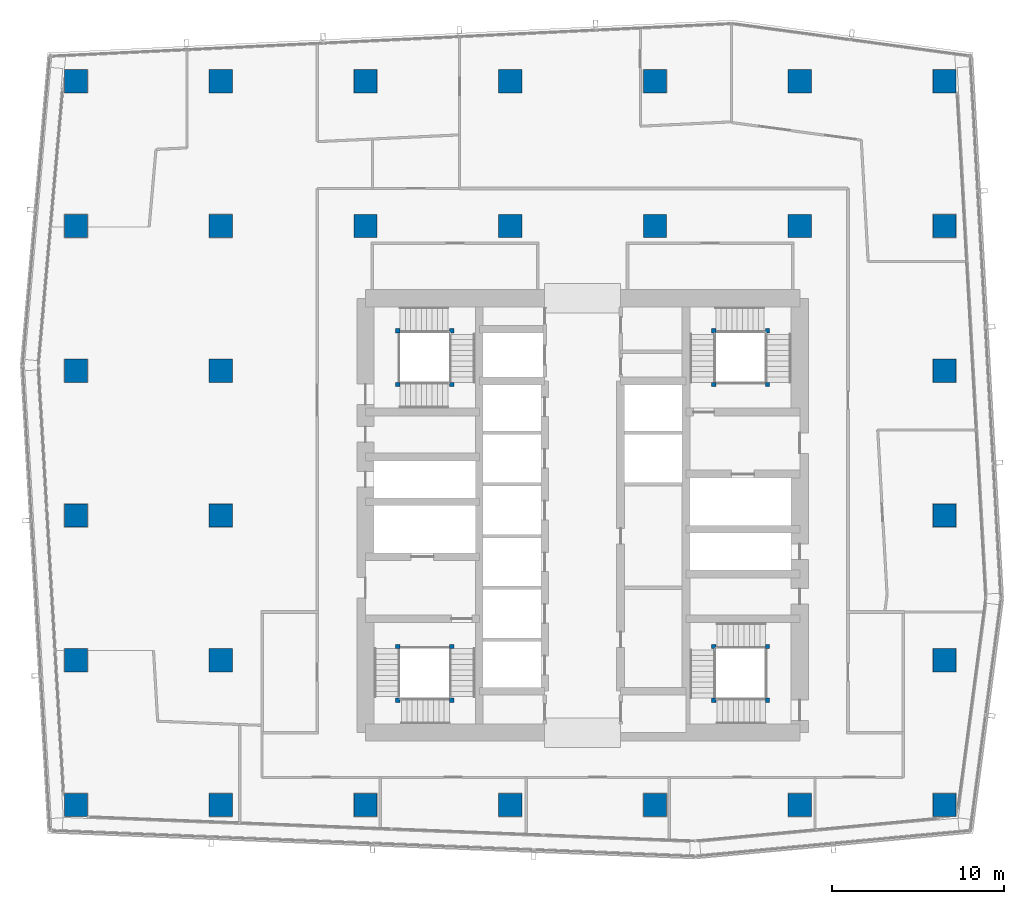
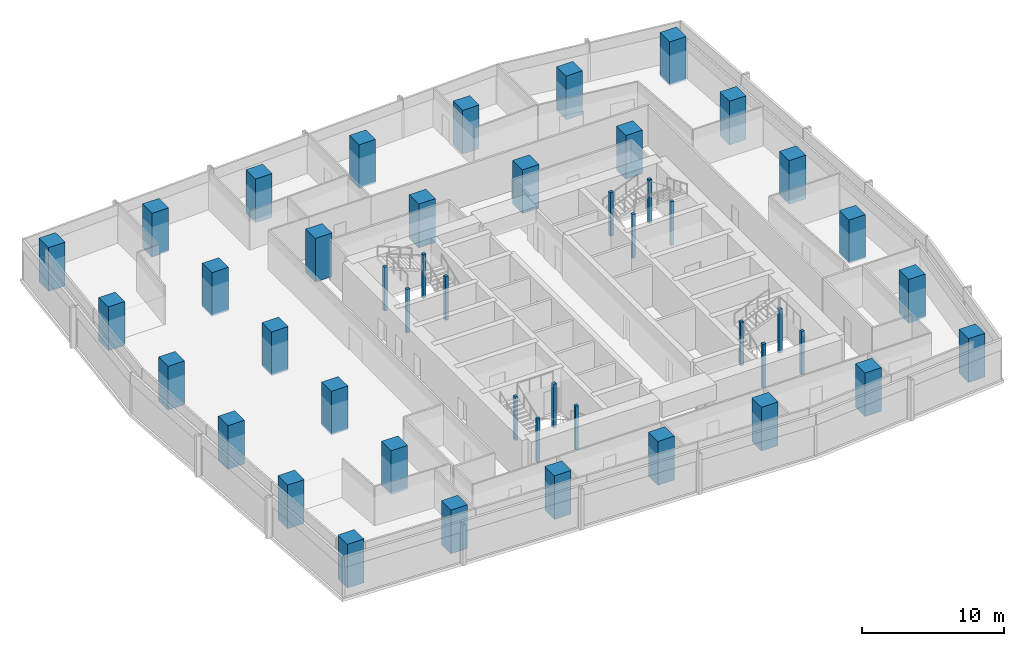
# One storey, part 1 of 40: 46 columns.
"""IFC4 building model written with IfcOpenShell, lengths in metres."""

from ifc_helpers import new_model, si_unit, direction, frame, origin, origin_2d, place, context, subcontext, project, spatial, rectangle, extrude, material, material_profile, profile_set, type_object, element, save


model = new_model("IFC4")

# Units and contexts
model_context = context("Model", 3, precision=1e-05, world=origin(), true_north=direction((0.0, 1.0)))
body_context = subcontext(model_context, "Body", "Model", "MODEL_VIEW")
ifc_project = project(units=[si_unit("LENGTHUNIT", "METRE"), si_unit("AREAUNIT", "SQUARE_METRE"), si_unit("VOLUMEUNIT", "CUBIC_METRE"), si_unit("PLANEANGLEUNIT", "RADIAN"), si_unit("MASSUNIT", "GRAM", prefix="KILO")], contexts=[model_context])

# Site, building, storey
site_placement = place(None, origin())
site = spatial("IfcSite", under=ifc_project, at=site_placement, CompositionType="ELEMENT")
building_placement = place(site_placement, origin())
building = spatial("IfcBuilding", under=site, at=building_placement, Name="Rekha Terrace Tower", CompositionType="ELEMENT")
storey_placement = place(building_placement, frame((0.0, 0.0, 210.199951171875)))
storey = spatial("IfcBuildingStorey", under=building, at=storey_placement, Name="L53", CompositionType="ELEMENT", Elevation=210.199951171875)

# Columns
ifc_material_1 = material(Name="Concrete M70", Category="concrete")
ifc_material_profile_1 = material_profile(ifc_material_1, rectangle(XDim=1.35009765625, YDim=1.35009765625, at=origin_2d()), Name="RC 1350x1350")
ifc_profile_set_1 = profile_set([ifc_material_profile_1], Name="Concrete M70")
column_type_1 = type_object("IfcColumnType", Name="C4 1350x1350 column", PredefinedType="COLUMN", material=ifc_profile_set_1)
for number, where, z_axis, x_axis, name in (
    (1, (8.39990234375, 16.800048828125, 0.0), (0.0, 0.0, 1.0), (1.0, 0.0, 0.0), "Column C4 2/C L53"),
    (2, (8.39990234375, 25.199951171875, 0.0), (0.0, 0.0, 1.0), (1.0, 0.0, 0.0), "Column C4 2/D L53"),
    (3, (8.39990234375, 33.60009765625, 0.0), (0.0, 0.0, 1.0), (1.0, 0.0, 0.0), "Column C4 2/E L53"),
    (4, (8.39990234375, 42.0, 0.0), (0.0, 0.0, 1.0), (1.0, 0.0, 0.0), "Column C4 2/F L53"),
    (5, (8.39990234375, 50.39990234375, 0.0), (0.0, 0.0, 1.0), (1.0, 0.0, 0.0), "Column C4 2/G L53"),
    (6, (8.39990234375, 58.800048828125, 0.0), (0.0, 0.0, 1.0), (1.0, 0.0, 0.0), "Column C4 2/H L53"),
    (7, (16.800048828125, 16.800048828125, 0.0), (0.0, 0.0, 1.0), (1.0, 0.0, 0.0), "Column C4 3/C L53"),
    (8, (16.800048828125, 25.199951171875, 0.0), (0.0, 0.0, 1.0), (1.0, 0.0, 0.0), "Column C4 3/D L53"),
    (9, (16.800048828125, 33.60009765625, 0.0), (0.0, 0.0, 1.0), (1.0, 0.0, 0.0), "Column C4 3/E L53"),
    (10, (16.800048828125, 42.0, 0.0), (0.0, 0.0, 1.0), (1.0, 0.0, 0.0), "Column C4 3/F L53"),
    (11, (16.800048828125, 50.39990234375, 0.0), (0.0, 0.0, 1.0), (1.0, 0.0, 0.0), "Column C4 3/G L53"),
    (12, (16.800048828125, 58.800048828125, 0.0), (0.0, 0.0, 1.0), (1.0, 0.0, 0.0), "Column C4 3/H L53"),
    (13, (25.199951171875, 16.800048828125, 0.0), (0.0, 0.0, 1.0), (1.0, 0.0, 0.0), "Column C4 4/C L53"),
    (14, (25.199951171875, 50.39990234375, 0.0), (0.0, 0.0, 1.0), (1.0, 0.0, 0.0), "Column C4 4/G L53"),
    (15, (25.199951171875, 58.800048828125, 0.0), (0.0, 0.0, 1.0), (1.0, 0.0, 0.0), "Column C4 4/H L53"),
    (16, (33.60009765625, 16.800048828125, 0.0), (0.0, 0.0, 1.0), (1.0, 0.0, 0.0), "Column C4 5/C L53"),
    (17, (33.60009765625, 50.39990234375, 0.0), (0.0, 0.0, 1.0), (1.0, 0.0, 0.0), "Column C4 5/G L53"),
    (18, (33.60009765625, 58.800048828125, 0.0), (0.0, 0.0, 1.0), (1.0, 0.0, 0.0), "Column C4 5/H L53"),
    (19, (42.0, 16.800048828125, 0.0), (0.0, 0.0, 1.0), (1.0, 0.0, 0.0), "Column C4 6/C L53"),
    (20, (42.0, 50.39990234375, 0.0), (0.0, 0.0, 1.0), (1.0, 0.0, 0.0), "Column C4 6/G L53"),
    (21, (42.0, 58.800048828125, 0.0), (0.0, 0.0, 1.0), (1.0, 0.0, 0.0), "Column C4 6/H L53"),
    (22, (50.39990234375, 16.800048828125, 0.0), (0.0, 0.0, 1.0), (1.0, 0.0, 0.0), "Column C4 7/C L53"),
    (23, (50.39990234375, 50.39990234375, 0.0), (0.0, 0.0, 1.0), (1.0, 0.0, 0.0), "Column C4 7/G L53"),
    (24, (50.39990234375, 58.800048828125, 0.0), (0.0, 0.0, 1.0), (1.0, 0.0, 0.0), "Column C4 7/H L53"),
    (25, (58.800048828125, 16.800048828125, 0.0), (0.0, 0.0, 1.0), (1.0, 0.0, 0.0), "Column C4 8/C L53"),
    (26, (58.800048828125, 25.199951171875, 0.0), (0.0, 0.0, 1.0), (1.0, 0.0, 0.0), "Column C4 8/D L53"),
    (27, (58.800048828125, 33.60009765625, 0.0), (0.0, 0.0, 1.0), (1.0, 0.0, 0.0), "Column C4 8/E L53"),
    (28, (58.800048828125, 42.0, 0.0), (0.0, 0.0, 1.0), (1.0, 0.0, 0.0), "Column C4 8/F L53"),
    (29, (58.800048828125, 50.39990234375, 0.0), (0.0, 0.0, 1.0), (1.0, 0.0, 0.0), "Column C4 8/G L53"),
    (30, (58.800048828125, 58.800048828125, 0.0), (0.0, 0.0, 1.0), (1.0, 0.0, 0.0), "Column C4 8/H L53"),
):
    element("IfcColumn", number, at=place(storey_placement, frame(where, z_axis=z_axis, x_axis=x_axis)), inside=storey, type_object=column_type_1, Name=name, PredefinedType="COLUMN", context=body_context, shape_type="SweptSolid", body=[
        extrude(rectangle(XDim=1.35009765625, YDim=1.35009765625, at=origin_2d()), origin(), (0.0, 0.0, 1.0), 3.75),
    ])
ifc_material_2 = material(Name="Concrete M60", Category="concrete")
ifc_material_profile_2 = material_profile(ifc_material_2, rectangle(XDim=0.25, YDim=0.25, at=origin_2d()), Name="RC 250x250")
ifc_profile_set_2 = profile_set([ifc_material_profile_2], Name="Concrete M60")
column_type_2 = type_object("IfcColumnType", Name="NP1 250x250 stair newel post", PredefinedType="COLUMN", material=ifc_profile_set_2)
for number, where, z_axis, x_axis, name in (
    (31, (30.199951171875, 26.0, 0.0), (0.0, 0.0, 1.0), (1.0, 0.0, 0.0), "Stair newel post NP1"),
    (32, (30.199951171875, 22.875, 0.0), (0.0, 0.0, 1.0), (1.0, 0.0, 0.0), "Stair newel post NP1"),
    (33, (27.074951171875, 22.875, 0.0), (0.0, 0.0, 1.0), (1.0, 0.0, 0.0), "Stair newel post NP1"),
    (34, (27.074951171875, 26.0, 0.0), (0.0, 0.0, 1.0), (1.0, 0.0, 0.0), "Stair newel post NP1"),
    (35, (45.39990234375, 41.199951171875, 0.0), (0.0, 0.0, 1.0), (1.0, 0.0, 0.0), "Stair newel post NP1"),
    (36, (45.39990234375, 44.324951171875, 0.0), (0.0, 0.0, 1.0), (1.0, 0.0, 0.0), "Stair newel post NP1"),
    (37, (48.52490234375, 44.324951171875, 0.0), (0.0, 0.0, 1.0), (1.0, 0.0, 0.0), "Stair newel post NP1"),
    (38, (48.52490234375, 41.199951171875, 0.0), (0.0, 0.0, 1.0), (1.0, 0.0, 0.0), "Stair newel post NP1"),
    (39, (48.52490234375, 22.875, 0.0), (0.0, 0.0, 1.0), (1.0, 0.0, 0.0), "Stair newel post NP1"),
    (40, (45.39990234375, 22.875, 0.0), (0.0, 0.0, 1.0), (1.0, 0.0, 0.0), "Stair newel post NP1"),
    (41, (45.39990234375, 26.0, 0.0), (0.0, 0.0, 1.0), (1.0, 0.0, 0.0), "Stair newel post NP1"),
    (42, (48.52490234375, 26.0, 0.0), (0.0, 0.0, 1.0), (1.0, 0.0, 0.0), "Stair newel post NP1"),
    (43, (27.074951171875, 41.199951171875, 0.0), (0.0, 0.0, 1.0), (1.0, 0.0, 0.0), "Stair newel post NP1"),
    (44, (30.199951171875, 41.199951171875, 0.0), (0.0, 0.0, 1.0), (1.0, 0.0, 0.0), "Stair newel post NP1"),
    (45, (30.199951171875, 44.324951171875, 0.0), (0.0, 0.0, 1.0), (1.0, 0.0, 0.0), "Stair newel post NP1"),
    (46, (27.074951171875, 44.324951171875, 0.0), (0.0, 0.0, 1.0), (1.0, 0.0, 0.0), "Stair newel post NP1"),
):
    element("IfcColumn", number, at=place(storey_placement, frame(where, z_axis=z_axis, x_axis=x_axis)), inside=storey, type_object=column_type_2, Name=name, PredefinedType="COLUMN", context=body_context, shape_type="SweptSolid", body=[
        extrude(rectangle(XDim=0.25, YDim=0.25, at=origin_2d()), origin(), (0.0, 0.0, 1.0), 3.75),
    ])

save(model, "model.ifc")
